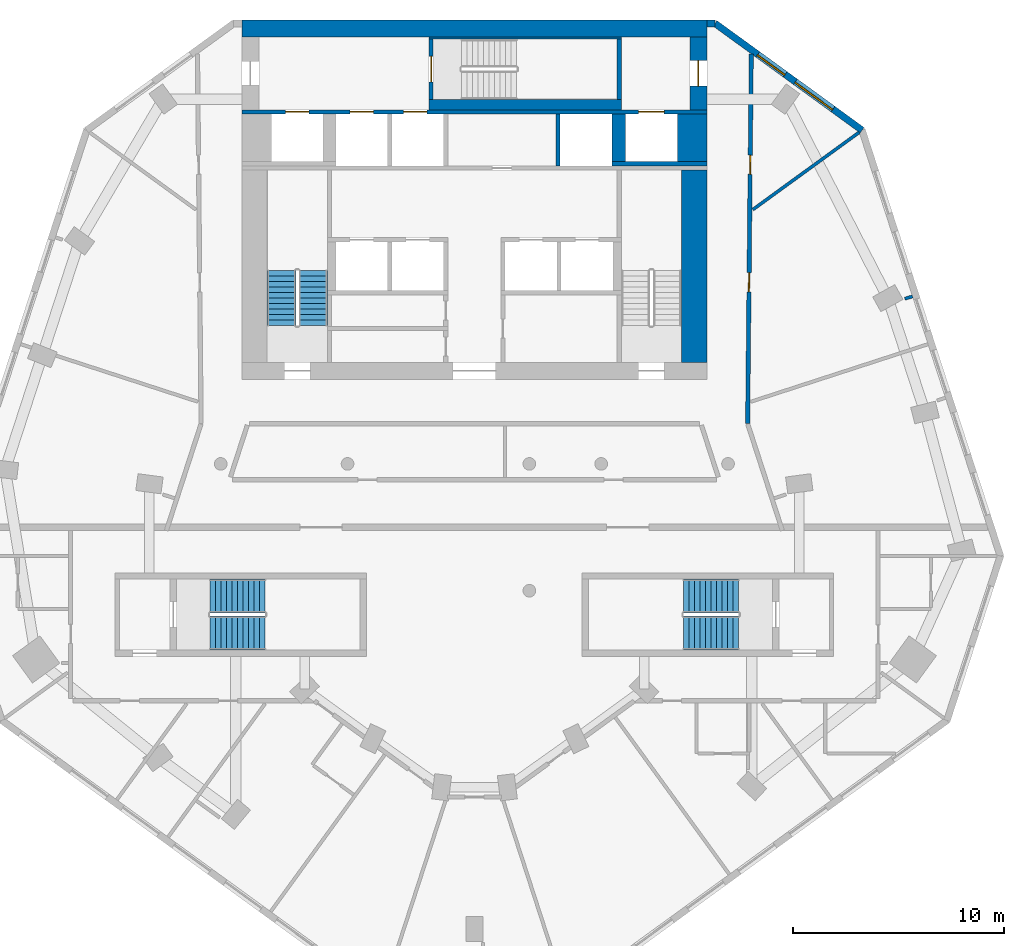
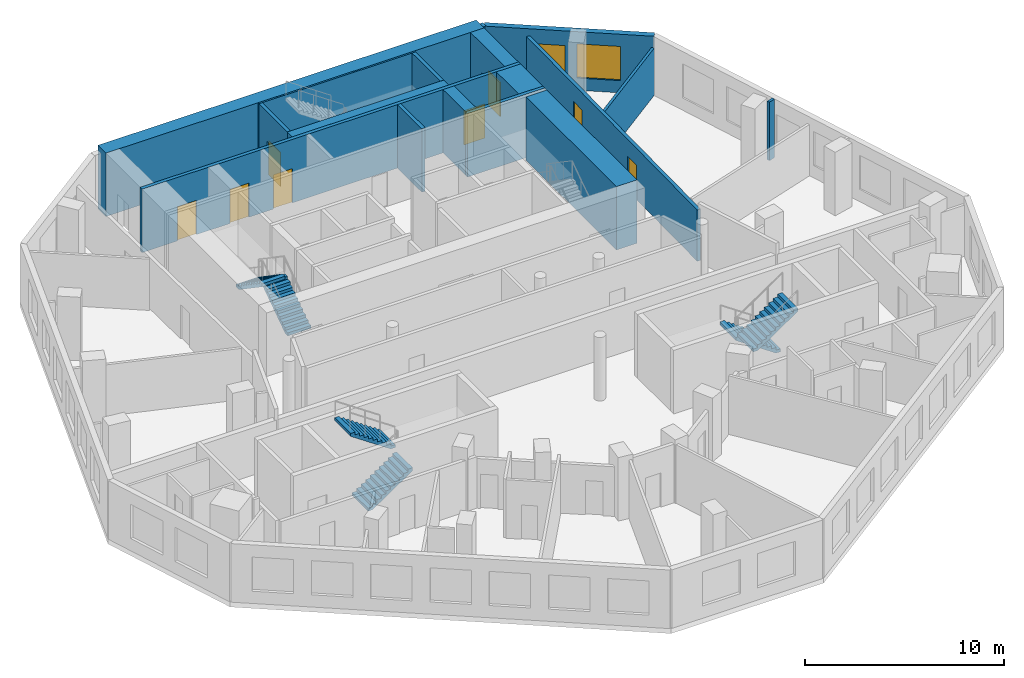
# One storey, part 6 of 9: 17 walls, 8 doors, 6 stair flights, 2 windows, 10 openings, 3 elements without a shape of their own.
"""IFC4 building model written with IfcOpenShell, lengths in metres."""

import ifcopenshell
import ifcopenshell.guid

model = None  # the IFC model being written
_history = None  # IfcOwnerHistory: only IFC2X3 demands one
_inside = {}  # id of a spatial element -> (the spatial element, [elements in it])
_under = {}  # id of a project, library or spatial element -> (it, [spatial elements below it])
_declared = {}  # id of a project -> (the project, [libraries it declares])
_typed = {}  # id of a type object -> (the type object, [elements of that type])
_made_of = {}  # id of a material, layer set ... -> (it, [elements and type objects made of it])


def new_model(schema):
    """Start an empty IFC model of exactly this schema.

    Asked for "IFC4X3", IfcOpenShell would pick the latest addendum, in which some entities
    have other attributes; the version numbers below select the first issue.
    IFC2X3 requires an IfcOwnerHistory on every rooted entity: one is made here for all.
    """
    global model, _history
    if schema == "IFC4X3":
        model = ifcopenshell.file(schema_version=(4, 3, 0, 0))
    else:
        model = ifcopenshell.file(schema=schema)
    _inside.clear()
    _under.clear()
    _declared.clear()
    _typed.clear()
    _made_of.clear()
    _history = None
    if model.schema == "IFC2X3":
        org = make("IfcOrganization", Name="unknown")
        user = make(
            "IfcPersonAndOrganization",
            ThePerson=make("IfcPerson", FamilyName="unknown"),
            TheOrganization=org,
        )
        app = make(
            "IfcApplication",
            ApplicationDeveloper=org,
            Version="unknown",
            ApplicationFullName="unknown",
            ApplicationIdentifier="unknown",
        )
        _history = make(
            "IfcOwnerHistory",
            OwningUser=user,
            OwningApplication=app,
            ChangeAction="ADDED",
            CreationDate=0,
        )
    return model


def make(cls, **values):
    """One entity of the class cls with the attributes given. An attribute that is None is left unset."""
    return model.create_entity(
        cls, **{name: value for name, value in values.items() if value is not None}
    )


def rooted(cls, **values):
    """An entity with a GlobalId (a new one), such as an element, a storey or a relation."""
    return make(cls, GlobalId=ifcopenshell.guid.new(), OwnerHistory=_history, **values)


def si_unit(unit_type, name, prefix=None):
    """IfcSIUnit, for example si_unit("LENGTHUNIT", "METRE", prefix="MILLI")."""
    return make("IfcSIUnit", UnitType=unit_type, Prefix=prefix, Name=name)


def assignment(units):
    """IfcUnitAssignment: the units of a project."""
    return None if units is None else make("IfcUnitAssignment", Units=units)


def point(xyz):
    """IfcCartesianPoint."""
    return None if xyz is None else make("IfcCartesianPoint", Coordinates=xyz)


def direction(xyz):
    """IfcDirection."""
    return None if xyz is None else make("IfcDirection", DirectionRatios=xyz)


def frame(location, z_axis=None, x_axis=None):
    """IfcAxis2Placement3D, a coordinate frame: its origin and axes. An axis left out is left unset."""
    return make(
        "IfcAxis2Placement3D",
        Location=point(location),
        Axis=direction(z_axis),
        RefDirection=direction(x_axis),
    )


def frame_2d(location, x_axis=None):
    """IfcAxis2Placement2D, a coordinate frame in the plane: its origin and x axis."""
    return make(
        "IfcAxis2Placement2D", Location=point(location), RefDirection=direction(x_axis)
    )


def origin():
    """The frame at (0, 0, 0) with its axes left unset."""
    return frame((0.0, 0.0, 0.0))


def place(relative_to, where):
    """IfcLocalPlacement: puts the frame where relative to a parent placement (None: the world)."""
    return make(
        "IfcLocalPlacement", PlacementRelTo=relative_to, RelativePlacement=where
    )


def context(
    kind, dimensions, precision=None, world=None, true_north=None, identifier=None
):
    """IfcGeometricRepresentationContext, for example the 3D "Model" context."""
    return make(
        "IfcGeometricRepresentationContext",
        ContextIdentifier=identifier,
        ContextType=kind,
        CoordinateSpaceDimension=dimensions,
        Precision=precision,
        WorldCoordinateSystem=world,
        TrueNorth=true_north,
    )


def subcontext(parent, identifier, kind, view, scale=None):
    """IfcGeometricRepresentationSubContext, for example "Body" below "Model"."""
    return make(
        "IfcGeometricRepresentationSubContext",
        ContextIdentifier=identifier,
        ContextType=kind,
        ParentContext=parent,
        TargetScale=scale,
        TargetView=view,
    )


def project(units=None, contexts=None):
    """IfcProject with its units and contexts."""
    return rooted(
        "IfcProject",
        Name="project",
        RepresentationContexts=contexts,
        UnitsInContext=assignment(units),
    )


def spatial(cls, under=None, at=None, **own):
    """A site, building, storey or space (cls), placed at a placement, below another one or the project."""
    s = rooted(cls, ObjectPlacement=at, **own)
    if under is not None:
        _under.setdefault(under.id(), (under, []))[1].append(s)
    return s


def polyline(points):
    """IfcPolyline through the points."""
    return make("IfcPolyline", Points=[point(p) for p in points])


def profile(cls, at=None, kind="AREA", **sizes):
    """A parametric profile (cls). Its sizes go by their IFC names, for example OverallWidth=200.0."""
    return make(cls, ProfileType=kind, Position=at, **sizes)


def rectangle(**sizes):
    """IfcRectangleProfileDef."""
    return profile("IfcRectangleProfileDef", **sizes)


def outline(outer, holes=None, kind="AREA"):
    """IfcArbitraryClosedProfileDef: a profile drawn as a closed curve; with holes, ...WithVoids."""
    if holes is None:
        return make("IfcArbitraryClosedProfileDef", ProfileType=kind, OuterCurve=outer)
    return make(
        "IfcArbitraryProfileDefWithVoids",
        ProfileType=kind,
        OuterCurve=outer,
        InnerCurves=holes,
    )


def extrude(swept, where, along, depth):
    """IfcExtrudedAreaSolid: the profile swept, set in the frame where, extruded along a direction by depth."""
    return make(
        "IfcExtrudedAreaSolid",
        SweptArea=swept,
        Position=where,
        ExtrudedDirection=direction(along),
        Depth=depth,
    )


def shape(context_of_items, identifier, shape_type, items):
    """IfcShapeRepresentation: the items that make up one representation, for example the "Body"."""
    return make(
        "IfcShapeRepresentation",
        ContextOfItems=context_of_items,
        RepresentationIdentifier=identifier,
        RepresentationType=shape_type,
        Items=items,
    )


def material(Name=None, Category=None):
    """IfcMaterial."""
    return make("IfcMaterial", Name=Name, Category=Category)


def layer(
    of_material, thickness, ventilated=None, Name=None, Category=None, Priority=None
):
    """IfcMaterialLayer: one layer of a wall or slab, of a material (None: an air gap)."""
    return make(
        "IfcMaterialLayer",
        Material=of_material,
        LayerThickness=thickness,
        IsVentilated=ventilated,
        Name=Name,
        Category=Category,
        Priority=Priority,
    )


def layer_set(layers, Name=None):
    """IfcMaterialLayerSet."""
    return make("IfcMaterialLayerSet", MaterialLayers=layers, LayerSetName=Name)


def made_of(thing, what):
    """Note that an element or type object is made of a material, layer set ...; save() writes the relation."""
    if what is not None:
        _made_of.setdefault(what.id(), (what, []))[1].append(thing)
    return thing


def type_object(cls, material=None, **own):
    """A type object (cls), such as IfcWallType, which elements share."""
    return made_of(rooted(cls, **own), material)


def element(
    cls,
    number,
    at=None,
    inside=None,
    cuts=None,
    type_object=None,
    material=None,
    context=None,
    identifier="Body",
    shape_type=None,
    held_by="IfcProductDefinitionShape",
    body=None,
    shapes=None,
    **own,
):
    """One element of the class cls, such as IfcWall. Its Tag is "e" and its number.

    at: its placement. inside: the storey or other place that contains it. cuts: it is an
    opening in that element (IfcRelVoidsElement). A single representation is given by context,
    identifier, shape_type and body (its items); several are given by shapes. held_by: the class
    of the entity that holds the representations. save() writes the other relations.
    """
    e = rooted(cls, Tag="e%d" % number, ObjectPlacement=at, **own)
    if body is not None:
        shapes = [shape(context, identifier, shape_type, body)]
    if shapes is not None:
        e.Representation = make(held_by, Representations=shapes)
    if inside is not None:
        _inside.setdefault(inside.id(), (inside, []))[1].append(e)
    if cuts is not None:
        rooted(
            "IfcRelVoidsElement", RelatingBuildingElement=cuts, RelatedOpeningElement=e
        )
    if type_object is not None:
        _typed.setdefault(type_object.id(), (type_object, []))[1].append(e)
    return made_of(e, material)


def fill(opening, filler):
    """IfcRelFillsElement: the door or window that sits in an opening."""
    return rooted(
        "IfcRelFillsElement",
        RelatingOpeningElement=opening,
        RelatedBuildingElement=filler,
    )


def aggregate(whole, parts):
    """IfcRelAggregates: a whole, such as a stair, and the parts it consists of."""
    return rooted("IfcRelAggregates", RelatingObject=whole, RelatedObjects=parts)


def save(model, path):
    """Write the relations noted so far, then the file.

    IfcRelAggregates (storeys below a building ...), IfcRelContainedInSpatialStructure (elements
    in a storey), IfcRelDefinesByType, IfcRelAssociatesMaterial and IfcRelDeclares: one each for
    every whole, place, type object, material and project.
    """
    for whole, parts in _under.values():
        aggregate(whole, parts)
    for where, things in _inside.values():
        rooted(
            "IfcRelContainedInSpatialStructure",
            RelatedElements=things,
            RelatingStructure=where,
        )
    for kind, things in _typed.values():
        rooted("IfcRelDefinesByType", RelatedObjects=things, RelatingType=kind)
    for what, things in _made_of.values():
        rooted("IfcRelAssociatesMaterial", RelatedObjects=things, RelatingMaterial=what)
    for by, libraries in _declared.values():
        rooted("IfcRelDeclares", RelatingContext=by, RelatedDefinitions=libraries)
    model.write(path)


model = new_model("IFC4")

# Units and contexts
model_context = context("Model", 3, precision=1e-05, world=origin(), true_north=direction((0.0, 1.0)))
body_context = subcontext(model_context, "Body", "Model", "MODEL_VIEW")
ifc_project = project(units=[si_unit("LENGTHUNIT", "METRE"), si_unit("AREAUNIT", "SQUARE_METRE"), si_unit("VOLUMEUNIT", "CUBIC_METRE"), si_unit("PLANEANGLEUNIT", "RADIAN"), si_unit("MASSUNIT", "GRAM", prefix="KILO")], contexts=[model_context])

# Site, building, storey
site_placement = place(None, origin())
site = spatial("IfcSite", under=ifc_project, at=site_placement, CompositionType="ELEMENT")
building_placement = place(site_placement, origin())
building = spatial("IfcBuilding", under=site, at=building_placement, Name="White Candle Pilgrim Tower", CompositionType="ELEMENT")
storey_placement = place(building_placement, frame((0.0, 0.0, 200.39990234375)))
storey = spatial("IfcBuildingStorey", under=building, at=storey_placement, Name="L46", CompositionType="ELEMENT", Elevation=200.39990234375)

# Walls
ifc_material_1 = material(Name="Concrete C50/60", Category="concrete")
ifc_layer_1 = layer(ifc_material_1, 1.39990234375)
ifc_layer_set_1 = layer_set([ifc_layer_1], Name="Core wall 1400 mm Concrete C50/60")
wall_type_1 = type_object("IfcWallType", Name="Core wall 1400 mm Concrete C50/60", PredefinedType="SHEAR", material=ifc_layer_set_1)
wall_1_placement = place(storey_placement, frame((80.300048828125, 81.300048828125, 0.0), z_axis=(0.0, 0.0, 1.0), x_axis=(0.0, 1.0, 0.0)))
element("IfcWall", 1, at=wall_1_placement, inside=storey, type_object=wall_type_1, Name="WL-L46-C42", PredefinedType="SHEAR", context=body_context, shape_type="SweptSolid", body=[
    extrude(rectangle(XDim=2.25, YDim=1.39990234375, at=frame_2d((1.125, 0.0))), origin(), (0.0, 0.0, 1.0), 3.900146484375),
])
ifc_layer_2 = layer(ifc_material_1, 0.199951171875)
ifc_layer_set_2 = layer_set([ifc_layer_2], Name="Core wall 200 mm Concrete C50/60")
wall_type_2 = type_object("IfcWallType", Name="Core wall 200 mm Concrete C50/60", PredefinedType="SHEAR", material=ifc_layer_set_2)
wall_2_placement = place(storey_placement, frame((76.5, 81.199951171875, 0.0), z_axis=(0.0, 0.0, 1.0), x_axis=(1.0, 0.0, 0.0)))
element("IfcWall", 2, at=wall_2_placement, inside=storey, type_object=wall_type_2, Name="WL-L46-C38", PredefinedType="SHEAR", context=body_context, shape_type="SweptSolid", body=[
    extrude(rectangle(XDim=4.5, YDim=0.199951171875, at=frame_2d((2.25, 0.0))), origin(), (0.0, 0.0, 1.0), 3.900146484375),
])

# Wall, openings, doors
wall_3_placement = place(storey_placement, frame((59.0, 83.64990234375, 0.0), z_axis=(0.0, 0.0, 1.0), x_axis=(1.0, 0.0, 0.0)))
wall_3 = element("IfcWall", 3, at=wall_3_placement, inside=storey, type_object=wall_type_2, Name="WL-L46-C43", PredefinedType="SHEAR", context=body_context, shape_type="SweptSolid", body=[
    extrude(rectangle(XDim=22.0, YDim=0.199951171875, at=frame_2d((11.0, 0.0))), origin(), (0.0, 0.0, 1.0), 3.900146484375),
])
opening_1_placement = place(wall_3_placement, frame((5.125, 0.0, 0.0)))
opening_1 = element("IfcOpeningElement", 4, at=opening_1_placement, cuts=wall_3, Name="Opening T14-018", PredefinedType="OPENING", context=body_context, shape_type="SweptSolid", body=[
    extrude(rectangle(XDim=1.10009765625, YDim=2.10009765625, at=frame_2d((0.550048828125, 1.050048828125))), frame((0.0, 0.10986328125, 0.0), z_axis=(0.0, -1.0, 0.0), x_axis=(1.0, 0.0, 0.0)), (0.0, 0.0, 1.0), 0.219970703125),
])
opening_2_placement = place(wall_3_placement, frame((7.64990234375, 0.0, 0.0)))
opening_2 = element("IfcOpeningElement", 5, at=opening_2_placement, cuts=wall_3, Name="Opening T14-019", PredefinedType="OPENING", context=body_context, shape_type="SweptSolid", body=[
    extrude(rectangle(XDim=1.10009765625, YDim=2.10009765625, at=frame_2d((0.550048828125, 1.050048828125))), frame((0.0, 0.10986328125, 0.0), z_axis=(0.0, -1.0, 0.0), x_axis=(1.0, 0.0, 0.0)), (0.0, 0.0, 1.0), 0.219970703125),
])
opening_3_placement = place(wall_3_placement, frame((18.77490234375, 0.0, 0.0)))
opening_3 = element("IfcOpeningElement", 6, at=opening_3_placement, cuts=wall_3, Name="Opening T14-020", PredefinedType="OPENING", context=body_context, shape_type="SweptSolid", body=[
    extrude(rectangle(XDim=1.199951171875, YDim=2.10009765625, at=frame_2d((0.60009765625, 1.050048828125))), frame((0.0, 0.10986328125, 0.0), z_axis=(0.0, -1.0, 0.0), x_axis=(1.0, 0.0, 0.0)), (0.0, 0.0, 1.0), 0.219970703125),
])
opening_4_placement = place(wall_3_placement, frame((2.074951171875, 0.0, 0.0)))
opening_4 = element("IfcOpeningElement", 7, at=opening_4_placement, cuts=wall_3, Name="Opening T14-021", PredefinedType="OPENING", context=body_context, shape_type="SweptSolid", body=[
    extrude(rectangle(XDim=1.10009765625, YDim=2.10009765625, at=frame_2d((0.550048828125, 1.050048828125))), frame((0.0, 0.10986328125, 0.0), z_axis=(0.0, -1.0, 0.0), x_axis=(1.0, 0.0, 0.0)), (0.0, 0.0, 1.0), 0.219970703125),
])
ifc_material_2 = material(Name="Stainless steel", Category="steel")
door_type_1 = type_object("IfcDoorType", Name="Lift landing door 1100 x 2100 EI 60", OperationType="DOUBLE_DOOR_SLIDING", PredefinedType="DOOR", material=ifc_material_2)
door_1_placement = place(opening_1_placement, origin())
door_1 = element("IfcDoor", 8, at=door_1_placement, inside=storey, type_object=door_type_1, Name="Door T14-018", OperationType="DOUBLE_DOOR_SLIDING", OverallHeight=2.10009765625, OverallWidth=1.10009765625, PredefinedType="DOOR", context=body_context, shape_type="SweptSolid", body=[
    extrude(rectangle(XDim=1.10009765625, YDim=2.10009765625, at=frame_2d((0.550048828125, 1.050048828125))), frame((0.0, 0.02490234375, 0.0), z_axis=(0.0, -1.0, 0.0), x_axis=(1.0, 0.0, 0.0)), (0.0, 0.0, 1.0), 0.050048828125),
])
fill(opening_1, door_1)
door_2_placement = place(opening_2_placement, origin())
door_2 = element("IfcDoor", 9, at=door_2_placement, inside=storey, type_object=door_type_1, Name="Door T14-019", OperationType="DOUBLE_DOOR_SLIDING", OverallHeight=2.10009765625, OverallWidth=1.10009765625, PredefinedType="DOOR", context=body_context, shape_type="SweptSolid", body=[
    extrude(rectangle(XDim=1.10009765625, YDim=2.10009765625, at=frame_2d((0.550048828125, 1.050048828125))), frame((0.0, 0.02490234375, 0.0), z_axis=(0.0, -1.0, 0.0), x_axis=(1.0, 0.0, 0.0)), (0.0, 0.0, 1.0), 0.050048828125),
])
fill(opening_2, door_2)
door_3_placement = place(opening_4_placement, origin())
door_3 = element("IfcDoor", 10, at=door_3_placement, inside=storey, type_object=door_type_1, Name="Door T14-021", OperationType="DOUBLE_DOOR_SLIDING", OverallHeight=2.10009765625, OverallWidth=1.10009765625, PredefinedType="DOOR", context=body_context, shape_type="SweptSolid", body=[
    extrude(rectangle(XDim=1.10009765625, YDim=2.10009765625, at=frame_2d((0.550048828125, 1.050048828125))), frame((0.0, 0.02490234375, 0.0), z_axis=(0.0, -1.0, 0.0), x_axis=(1.0, 0.0, 0.0)), (0.0, 0.0, 1.0), 0.050048828125),
])
fill(opening_4, door_3)
door_type_2 = type_object("IfcDoorType", Name="Lift landing door 1200 x 2100 E 60", OperationType="DOUBLE_DOOR_SLIDING", PredefinedType="DOOR", material=ifc_material_2)
door_4_placement = place(opening_3_placement, origin())
door_4 = element("IfcDoor", 11, at=door_4_placement, inside=storey, type_object=door_type_2, Name="Door T14-020", OperationType="DOUBLE_DOOR_SLIDING", OverallHeight=2.10009765625, OverallWidth=1.199951171875, PredefinedType="DOOR", context=body_context, shape_type="SweptSolid", body=[
    extrude(rectangle(XDim=1.199951171875, YDim=2.10009765625, at=frame_2d((0.60009765625, 1.050048828125))), frame((0.0, 0.02490234375, 0.0), z_axis=(0.0, -1.0, 0.0), x_axis=(1.0, 0.0, 0.0)), (0.0, 0.0, 1.0), 0.050048828125),
])
fill(opening_3, door_4)

# Wall, opening, door
ifc_layer_3 = layer(ifc_material_1, 0.800048828125)
ifc_layer_set_3 = layer_set([ifc_layer_3], Name="Core wall 800 mm Concrete C50/60")
wall_type_3 = type_object("IfcWallType", Name="Core wall 800 mm Concrete C50/60", PredefinedType="SHEAR", material=ifc_layer_set_3)
wall_4_placement = place(storey_placement, frame((80.60009765625, 83.75, 0.0), z_axis=(0.0, 0.0, 1.0), x_axis=(0.0, 1.0, 0.0)))
wall_4 = element("IfcWall", 12, at=wall_4_placement, inside=storey, type_object=wall_type_3, Name="WL-L46-C46", PredefinedType="SHEAR", context=body_context, shape_type="SweptSolid", body=[
    extrude(rectangle(XDim=3.449951171875, YDim=0.800048828125, at=frame_2d((1.72509765625, 0.0))), origin(), (0.0, 0.0, 1.0), 3.900146484375),
])
opening_5_placement = place(wall_4_placement, frame((1.125, 0.0, 0.0)))
opening_5 = element("IfcOpeningElement", 13, at=opening_5_placement, cuts=wall_4, Name="Opening T14-009", PredefinedType="OPENING", context=body_context, shape_type="SweptSolid", body=[
    extrude(rectangle(XDim=1.199951171875, YDim=2.10009765625, at=frame_2d((0.60009765625, 1.050048828125))), frame((0.0, 0.409912109375, 0.0), z_axis=(0.0, -1.0, 0.0), x_axis=(1.0, 0.0, 0.0)), (0.0, 0.0, 1.0), 0.820068359375),
])
ifc_material_3 = material(Name="Steel door leaf", Category="steel")
door_type_3 = type_object("IfcDoorType", Name="Fire door 1200 x 2100 EI 30", OperationType="NOTDEFINED", PredefinedType="DOOR", material=ifc_material_3)
door_5_placement = place(opening_5_placement, origin())
door_5 = element("IfcDoor", 14, at=door_5_placement, inside=storey, type_object=door_type_3, Name="Door T14-009", OperationType="SINGLE_SWING_LEFT", OverallHeight=2.10009765625, OverallWidth=1.199951171875, PredefinedType="DOOR", context=body_context, shape_type="SweptSolid", body=[
    extrude(rectangle(XDim=1.199951171875, YDim=2.10009765625, at=frame_2d((0.60009765625, 1.050048828125))), frame((0.0, 0.02490234375, 0.0), z_axis=(0.0, -1.0, 0.0), x_axis=(1.0, 0.0, 0.0)), (0.0, 0.0, 1.0), 0.050048828125),
])
fill(opening_5, door_5)

# Wall
wall_5_placement = place(storey_placement, frame((59.0, 87.60009765625, 0.0), z_axis=(0.0, 0.0, 1.0), x_axis=(1.0, 0.0, 0.0)))
element("IfcWall", 15, at=wall_5_placement, inside=storey, type_object=wall_type_3, Name="WL-L46-C50", PredefinedType="SHEAR", context=body_context, shape_type="SweptSolid", body=[
    extrude(rectangle(XDim=22.0, YDim=0.800048828125, at=frame_2d((11.0, 0.0))), origin(), (0.0, 0.0, 1.0), 3.900146484375),
])

# Wall, openings, doors
ifc_material_4 = material(Name="Gypsum board on steel studs", Category="steel")
ifc_layer_4 = layer(ifc_material_4, 0.199951171875)
ifc_layer_set_4 = layer_set([ifc_layer_4], Name="Corridor wall 200 mm EI 45")
wall_type_4 = type_object("IfcWallType", Name="Corridor wall 200 mm EI 45", PredefinedType="PARTITIONING", material=ifc_layer_set_4)
wall_6_placement = place(storey_placement, frame((83.10009765625, 86.396240234375, 0.0), z_axis=(0.0, 0.0, 1.0), x_axis=(-0.009846166448, -0.999951525328, 0.0)))
wall_6 = element("IfcWall", 16, at=wall_6_placement, inside=storey, type_object=wall_type_4, Name="WL-L46-P004", PredefinedType="PARTITIONING", context=body_context, shape_type="SweptSolid", body=[
    extrude(rectangle(XDim=17.480712890625, YDim=0.199951171875, at=frame_2d((8.740234375, 0.0))), origin(), (0.0, 0.0, 1.0), 3.150146484375),
])
opening_6_placement = place(wall_6_placement, frame((4.794189453125, 0.0, 0.0)))
opening_6 = element("IfcOpeningElement", 17, at=opening_6_placement, cuts=wall_6, Name="Opening T14-121", PredefinedType="OPENING", context=body_context, shape_type="SweptSolid", body=[
    extrude(rectangle(XDim=0.89990234375, YDim=2.10009765625, at=frame_2d((0.449951171875, 1.050048828125))), frame((0.0, 0.10986328125, 0.0), z_axis=(0.0, -1.0, 0.0), x_axis=(1.0, 0.0, 0.0)), (0.0, 0.0, 1.0), 0.219970703125),
])
opening_7_placement = place(wall_6_placement, frame((10.353515625, 0.0, 0.0)))
opening_7 = element("IfcOpeningElement", 18, at=opening_7_placement, cuts=wall_6, Name="Opening T14-122", PredefinedType="OPENING", context=body_context, shape_type="SweptSolid", body=[
    extrude(rectangle(XDim=0.89990234375, YDim=2.10009765625, at=frame_2d((0.449951171875, 1.050048828125))), frame((0.0, 0.10986328125, 0.0), z_axis=(0.0, -1.0, 0.0), x_axis=(1.0, 0.0, 0.0)), (0.0, 0.0, 1.0), 0.219970703125),
])
door_type_4 = type_object("IfcDoorType", Name="Fire door 900 x 2100 EI 30", OperationType="NOTDEFINED", PredefinedType="DOOR", material=ifc_material_3)
door_6_placement = place(opening_6_placement, origin())
door_6 = element("IfcDoor", 19, at=door_6_placement, inside=storey, type_object=door_type_4, Name="Door T14-121", OperationType="SINGLE_SWING_LEFT", OverallHeight=2.10009765625, OverallWidth=0.89990234375, PredefinedType="DOOR", context=body_context, shape_type="SweptSolid", body=[
    extrude(rectangle(XDim=0.89990234375, YDim=2.10009765625, at=frame_2d((0.449951171875, 1.050048828125))), frame((0.0, 0.02490234375, 0.0), z_axis=(0.0, -1.0, 0.0), x_axis=(1.0, 0.0, 0.0)), (0.0, 0.0, 1.0), 0.050048828125),
])
fill(opening_6, door_6)
door_7_placement = place(opening_7_placement, origin())
door_7 = element("IfcDoor", 20, at=door_7_placement, inside=storey, type_object=door_type_4, Name="Door T14-122", OperationType="SINGLE_SWING_RIGHT", OverallHeight=2.10009765625, OverallWidth=0.89990234375, PredefinedType="DOOR", context=body_context, shape_type="SweptSolid", body=[
    extrude(rectangle(XDim=0.89990234375, YDim=2.10009765625, at=frame_2d((0.449951171875, 1.050048828125))), frame((0.0, 0.02490234375, 0.0), z_axis=(0.0, -1.0, 0.0), x_axis=(1.0, 0.0, 0.0)), (0.0, 0.0, 1.0), 0.050048828125),
])
fill(opening_7, door_7)

# Wall, openings, windows
ifc_material_5 = material(Name="Precast concrete C40/50", Category="concrete")
ifc_layer_5 = layer(ifc_material_5, 0.320068359375)
ifc_layer_set_5 = layer_set([ifc_layer_5], Name="Facade wall EW1 precast concrete C40/50 pier wall with timber-lined reveals")
wall_type_5 = type_object("IfcWallType", Name="Facade wall EW1 precast concrete C40/50 pier wall with timber-lined reveals", PredefinedType="SOLIDWALL", material=ifc_layer_set_5)
wall_7_placement = place(storey_placement, frame((88.342041015625, 82.785400390625, 0.0), z_axis=(0.0, 0.0, 1.0), x_axis=(-0.809010998506, 0.58779350481, 0.0)))
wall_7 = element("IfcWall", 21, at=wall_7_placement, inside=storey, type_object=wall_type_5, Name="Facade wall L46 NE chamfer", PredefinedType="SOLIDWALL", context=body_context, shape_type="SweptSolid", body=[
    extrude(rectangle(XDim=8.599365234375, YDim=0.320068359375, at=frame_2d((4.2998046875, 0.0))), origin(), (0.0, 0.0, 1.0), 3.60009765625),
])
opening_8_placement = place(wall_7_placement, frame((1.69970703125, 0.0, 0.75)))
opening_8 = element("IfcOpeningElement", 22, at=opening_8_placement, cuts=wall_7, Name="Opening W4", PredefinedType="OPENING", context=body_context, shape_type="SweptSolid", body=[
    extrude(rectangle(XDim=2.199951171875, YDim=2.10009765625, at=frame_2d((1.10009765625, 1.050048828125))), frame((0.0, 0.169921875, 0.0), z_axis=(0.0, -1.0, 0.0), x_axis=(1.0, 0.0, 0.0)), (0.0, 0.0, 1.0), 0.340087890625),
])
opening_9_placement = place(wall_7_placement, frame((4.499755859375, 0.0, 0.89990234375)))
opening_9 = element("IfcOpeningElement", 23, at=opening_9_placement, cuts=wall_7, Name="Opening W2", PredefinedType="OPENING", context=body_context, shape_type="SweptSolid", body=[
    extrude(rectangle(XDim=1.60009765625, YDim=1.800048828125, at=frame_2d((0.800048828125, 0.89990234375))), frame((0.0, 0.169921875, 0.0), z_axis=(0.0, -1.0, 0.0), x_axis=(1.0, 0.0, 0.0)), (0.0, 0.0, 1.0), 0.340087890625),
])
ifc_material_6 = material(Name="Timber frame with triple glazing", Category="wood")
window_type_1 = type_object("IfcWindowType", Name="Window W2 1600x1800 timber frame triple glazing", PartitioningType="SINGLE_PANEL", PredefinedType="WINDOW", material=ifc_material_6)
window_1_placement = place(opening_9_placement, origin())
window_1 = element("IfcWindow", 24, at=window_1_placement, inside=storey, type_object=window_type_1, Name="Window W2 L46 NE chamfer 2", OverallHeight=1.800048828125, OverallWidth=1.60009765625, PartitioningType="SINGLE_PANEL", PredefinedType="WINDOW", context=body_context, shape_type="SweptSolid", body=[
    extrude(rectangle(XDim=1.60009765625, YDim=1.800048828125, at=frame_2d((0.800048828125, 0.89990234375))), frame((0.0, 0.070068359375, 0.0), z_axis=(0.0, -1.0, 0.0), x_axis=(1.0, 0.0, 0.0)), (0.0, 0.0, 1.0), 0.06005859375),
])
fill(opening_9, window_1)
window_type_2 = type_object("IfcWindowType", Name="Window W4 2200x2100 timber frame triple glazing", PartitioningType="SINGLE_PANEL", PredefinedType="WINDOW", material=ifc_material_6)
window_2_placement = place(opening_8_placement, origin())
window_2 = element("IfcWindow", 25, at=window_2_placement, inside=storey, type_object=window_type_2, Name="Window W4 L46 NE chamfer 1", OverallHeight=2.10009765625, OverallWidth=2.199951171875, PartitioningType="SINGLE_PANEL", PredefinedType="WINDOW", context=body_context, shape_type="SweptSolid", body=[
    extrude(rectangle(XDim=2.199951171875, YDim=2.10009765625, at=frame_2d((1.10009765625, 1.050048828125))), frame((0.0, 0.070068359375, 0.0), z_axis=(0.0, -1.0, 0.0), x_axis=(1.0, 0.0, 0.0)), (0.0, 0.0, 1.0), 0.06005859375),
])
fill(opening_8, window_2)

# Walls
wall_8_placement = place(storey_placement, frame((81.385009765625, 87.840087890625, 0.0), z_axis=(0.0, 0.0, 1.0), x_axis=(-1.0, 0.0, 0.0)))
element("IfcWall", 26, at=wall_8_placement, inside=storey, type_object=wall_type_5, Name="Facade wall L46 N", PredefinedType="SOLIDWALL", context=body_context, shape_type="SweptSolid", body=[
    extrude(rectangle(XDim=0.385009765625, YDim=0.320068359375, at=frame_2d((0.1923828125, 0.0))), origin(), (0.0, 0.0, 1.0), 3.60009765625),
])
ifc_layer_6 = layer(ifc_material_4, 0.14990234375)
ifc_layer_set_6 = layer_set([ifc_layer_6], Name="Partition 150 mm EI 60")
wall_type_6 = type_object("IfcWallType", Name="Partition 150 mm EI 60", PredefinedType="PARTITIONING", material=ifc_layer_set_6)
wall_9_placement = place(storey_placement, frame((88.2060546875, 82.6865234375, 0.0), z_axis=(0.0, 0.0, 1.0), x_axis=(-0.809027823237, -0.587770347354, 0.0)))
element("IfcWall", 27, at=wall_9_placement, inside=storey, type_object=wall_type_6, Name="WL-L46-P024", PredefinedType="PARTITIONING", context=body_context, shape_type="SweptSolid", body=[
    extrude(rectangle(XDim=6.22216796875, YDim=0.14990234375, at=frame_2d((3.111083984375, 0.0))), origin(), (0.0, 0.0, 1.0), 2.900146484375),
])
wall_10_placement = place(storey_placement, frame((90.364501953125, 74.80859375, 0.0), z_axis=(0.0, 0.0, 1.0), x_axis=(0.951024661998, 0.309115014633, 0.0)))
element("IfcWall", 28, at=wall_10_placement, inside=storey, type_object=wall_type_6, Name="WL-L46-P050", PredefinedType="PARTITIONING", context=body_context, shape_type="SweptSolid", body=[
    extrude(rectangle(XDim=0.381591796875, YDim=0.14990234375, at=frame_2d((0.19091796875, 0.0))), origin(), (0.0, 0.0, 1.0), 3.60009765625),
])
ifc_layer_7 = layer(ifc_material_1, 0.199951171875)
ifc_layer_set_7 = layer_set([ifc_layer_7], Name="Shaft wall 200 mm Concrete C50/60")
wall_type_7 = type_object("IfcWallType", Name="Shaft wall 200 mm Concrete C50/60", PredefinedType="SHEAR", material=ifc_layer_set_7)
wall_11_placement = place(storey_placement, frame((73.949951171875, 81.10009765625, 0.0), z_axis=(0.0, 0.0, 1.0), x_axis=(0.0, 1.0, 0.0)))
element("IfcWall", 29, at=wall_11_placement, inside=storey, type_object=wall_type_7, Name="WL-L46-C37", PredefinedType="SHEAR", context=body_context, shape_type="SweptSolid", body=[
    extrude(rectangle(XDim=2.449951171875, YDim=0.199951171875, at=frame_2d((1.22509765625, 0.0))), origin(), (0.0, 0.0, 1.0), 3.900146484375),
])
ifc_layer_8 = layer(ifc_material_1, 0.64990234375)
ifc_layer_set_8 = layer_set([ifc_layer_8], Name="Shaft wall 650 mm Concrete C50/60")
wall_type_8 = type_object("IfcWallType", Name="Shaft wall 650 mm Concrete C50/60", PredefinedType="SHEAR", material=ifc_layer_set_8)
wall_12_placement = place(storey_placement, frame((76.824951171875, 81.300048828125, 0.0), z_axis=(0.0, 0.0, 1.0), x_axis=(0.0, 1.0, 0.0)))
element("IfcWall", 30, at=wall_12_placement, inside=storey, type_object=wall_type_8, Name="WL-L46-C41", PredefinedType="SHEAR", context=body_context, shape_type="SweptSolid", body=[
    extrude(rectangle(XDim=2.25, YDim=0.64990234375, at=frame_2d((1.125, 0.0))), origin(), (0.0, 0.0, 1.0), 3.900146484375),
])
ifc_layer_9 = layer(ifc_material_1, 0.10009765625)
ifc_layer_set_9 = layer_set([ifc_layer_9], Name="Stair shaft wall 100 mm Concrete C50/60")
wall_type_9 = type_object("IfcWallType", Name="Stair shaft wall 100 mm Concrete C50/60", PredefinedType="SHEAR", material=ifc_layer_set_9)
wall_13_placement = place(storey_placement, frame((67.85009765625, 87.14990234375, 0.0), z_axis=(0.0, 0.0, 1.0), x_axis=(1.0, 0.0, 0.0)))
element("IfcWall", 31, at=wall_13_placement, inside=storey, type_object=wall_type_9, Name="WL-L46-C49", PredefinedType="SHEAR", context=body_context, shape_type="SweptSolid", body=[
    extrude(rectangle(XDim=9.099853515625, YDim=0.10009765625, at=frame_2d((4.5498046875, 0.0))), origin(), (0.0, 0.0, 1.0), 3.900146484375),
])
ifc_layer_10 = layer(ifc_material_1, 1.199951171875)
ifc_layer_set_10 = layer_set([ifc_layer_10], Name="Stair shaft wall 1200 mm Concrete C50/60")
wall_type_10 = type_object("IfcWallType", Name="Stair shaft wall 1200 mm Concrete C50/60", PredefinedType="SHEAR", material=ifc_layer_set_10)
wall_14_placement = place(storey_placement, frame((80.39990234375, 71.800048828125, 0.0), z_axis=(0.0, 0.0, 1.0), x_axis=(0.0, 1.0, 0.0)))
element("IfcWall", 32, at=wall_14_placement, inside=storey, type_object=wall_type_10, Name="WL-L46-C17", PredefinedType="SHEAR", context=body_context, shape_type="SweptSolid", body=[
    extrude(rectangle(XDim=9.099853515625, YDim=1.199951171875, at=frame_2d((4.5498046875, 0.0))), origin(), (0.0, 0.0, 1.0), 3.900146484375),
])

# Wall, opening, door
ifc_layer_11 = layer(ifc_material_1, 0.199951171875)
ifc_layer_set_11 = layer_set([ifc_layer_11], Name="Stair shaft wall 200 mm Concrete C50/60")
wall_type_11 = type_object("IfcWallType", Name="Stair shaft wall 200 mm Concrete C50/60", PredefinedType="SHEAR", material=ifc_layer_set_11)
wall_15_placement = place(storey_placement, frame((67.949951171875, 84.25, 0.0), z_axis=(0.0, 0.0, 1.0), x_axis=(0.0, 1.0, 0.0)))
wall_15 = element("IfcWall", 33, at=wall_15_placement, inside=storey, type_object=wall_type_11, Name="WL-L46-C47", PredefinedType="SHEAR", context=body_context, shape_type="SweptSolid", body=[
    extrude(rectangle(XDim=2.85009765625, YDim=0.199951171875, at=frame_2d((1.425048828125, 0.0))), origin(), (0.0, 0.0, 1.0), 3.900146484375),
])
opening_10_placement = place(wall_15_placement, frame((0.824951171875, 0.0, 0.0)))
opening_10 = element("IfcOpeningElement", 34, at=opening_10_placement, cuts=wall_15, Name="Opening T14-003", PredefinedType="OPENING", context=body_context, shape_type="SweptSolid", body=[
    extrude(rectangle(XDim=1.199951171875, YDim=2.10009765625, at=frame_2d((0.60009765625, 1.050048828125))), frame((0.0, 0.10986328125, 0.0), z_axis=(0.0, -1.0, 0.0), x_axis=(1.0, 0.0, 0.0)), (0.0, 0.0, 1.0), 0.219970703125),
])
door_type_5 = type_object("IfcDoorType", Name="Fire door 1200 x 2100 EI 60", OperationType="NOTDEFINED", PredefinedType="DOOR", material=ifc_material_3)
door_8_placement = place(opening_10_placement, frame((1.199951171875, 0.0, 0.0), z_axis=(0.0, 0.0, 1.0), x_axis=(-1.0, 0.0, 0.0)))
door_8 = element("IfcDoor", 35, at=door_8_placement, inside=storey, type_object=door_type_5, Name="Door T14-003", OperationType="SINGLE_SWING_RIGHT", OverallHeight=2.10009765625, OverallWidth=1.199951171875, PredefinedType="DOOR", context=body_context, shape_type="SweptSolid", body=[
    extrude(rectangle(XDim=1.199951171875, YDim=2.10009765625, at=frame_2d((0.60009765625, 1.050048828125))), frame((0.0, 0.02490234375, 0.0), z_axis=(0.0, -1.0, 0.0), x_axis=(1.0, 0.0, 0.0)), (0.0, 0.0, 1.0), 0.050048828125),
])
fill(opening_10, door_8)

# Walls
wall_16_placement = place(storey_placement, frame((76.85009765625, 84.25, 0.0), z_axis=(0.0, 0.0, 1.0), x_axis=(0.0, 1.0, 0.0)))
element("IfcWall", 36, at=wall_16_placement, inside=storey, type_object=wall_type_11, Name="WL-L46-C48", PredefinedType="SHEAR", context=body_context, shape_type="SweptSolid", body=[
    extrude(rectangle(XDim=2.85009765625, YDim=0.199951171875, at=frame_2d((1.425048828125, 0.0))), origin(), (0.0, 0.0, 1.0), 3.900146484375),
])
ifc_layer_12 = layer(ifc_material_1, 0.5)
ifc_layer_set_12 = layer_set([ifc_layer_12], Name="Stair shaft wall 500 mm Concrete C50/60")
wall_type_12 = type_object("IfcWallType", Name="Stair shaft wall 500 mm Concrete C50/60", PredefinedType="SHEAR", material=ifc_layer_set_12)
wall_17_placement = place(storey_placement, frame((67.85009765625, 84.0, 0.0), z_axis=(0.0, 0.0, 1.0), x_axis=(1.0, 0.0, 0.0)))
element("IfcWall", 37, at=wall_17_placement, inside=storey, type_object=wall_type_12, Name="WL-L46-C45", PredefinedType="SHEAR", context=body_context, shape_type="SweptSolid", body=[
    extrude(rectangle(XDim=9.099853515625, YDim=0.5, at=frame_2d((4.5498046875, 0.0))), origin(), (0.0, 0.0, 1.0), 3.900146484375),
])

# Stair, stair flights
ifc_material_7 = material(Name="Concrete C40/50", Category="concrete")
stair_type_1 = type_object("IfcStairType", Name="Exit stair 1 flight width 1350 mm", PredefinedType="HALF_TURN_STAIR", material=ifc_material_7)
stair_1_placement = place(storey_placement, origin())
stair_1 = element("IfcStair", 38, at=stair_1_placement, inside=storey, type_object=stair_type_1, Name="L46 stair 1", PredefinedType="NOTDEFINED")
ifc_layer_13 = layer(ifc_material_7, 0.14990234375)
ifc_layer_set_13 = layer_set([ifc_layer_13], Name="Stair flight Concrete C40/50")
stair_flight_type = type_object("IfcStairFlightType", Name="Stair flight Concrete C40/50", PredefinedType="STRAIGHT", material=ifc_layer_set_13)
stair_flight_1_placement = place(storey_placement, frame((62.375, 73.550048828125, 0.0), z_axis=(0.0, 0.0, 1.0), x_axis=(0.0, 1.0, 0.0)))
stair_flight_1 = element("IfcStairFlight", 39, at=stair_flight_1_placement, type_object=stair_flight_type, Name="ST1 flight 1", NumberOfRisers=11, NumberOfTreads=10, PredefinedType="NOTDEFINED", RiserHeight=0.177272727, TreadLength=0.26, context=body_context, shape_type="SweptSolid", body=[
    extrude(outline(polyline([(0.0, 0.0), (0.0, 0.17724609375), (0.260009765625, 0.17724609375), (0.260009765625, 0.3544921875), (0.52001953125, 0.3544921875), (0.52001953125, 0.53173828125), (0.780029296875, 0.53173828125), (0.780029296875, 0.708984375), (1.0400390625, 0.708984375), (1.0400390625, 0.886474609375), (1.300048828125, 0.886474609375), (1.300048828125, 1.063720703125), (1.56005859375, 1.063720703125), (1.56005859375, 1.240966796875), (1.820068359375, 1.240966796875), (1.820068359375, 1.418212890625), (2.080078125, 1.418212890625), (2.080078125, 1.595458984375), (2.340087890625, 1.595458984375), (2.340087890625, 1.772705078125), (2.60009765625, 1.772705078125), (2.60009765625, 1.949951171875), (2.60009765625, 1.59130859375), (0.26611328125, 0.0), (0.0, 0.0)])), frame((0.0, 0.675048828125, 0.0), z_axis=(0.0, -1.0, 0.0), x_axis=(1.0, 0.0, 0.0)), (0.0, 0.0, 1.0), 1.35009765625),
])
stair_flight_2_placement = place(storey_placement, frame((60.875, 76.14990234375, 1.9501953125), z_axis=(0.0, 0.0, 1.0), x_axis=(0.0, -1.0, 0.0)))
stair_flight_2 = element("IfcStairFlight", 40, at=stair_flight_2_placement, type_object=stair_flight_type, Name="ST1 flight 2", NumberOfRisers=11, NumberOfTreads=10, PredefinedType="NOTDEFINED", RiserHeight=0.177272727, TreadLength=0.26, context=body_context, shape_type="SweptSolid", body=[
    extrude(outline(polyline([(0.0, 0.0), (0.0, 0.17724609375), (0.260009765625, 0.17724609375), (0.260009765625, 0.3544921875), (0.52001953125, 0.3544921875), (0.52001953125, 0.53173828125), (0.780029296875, 0.53173828125), (0.780029296875, 0.708984375), (1.0400390625, 0.708984375), (1.0400390625, 0.886474609375), (1.300048828125, 0.886474609375), (1.300048828125, 1.063720703125), (1.56005859375, 1.063720703125), (1.56005859375, 1.240966796875), (1.820068359375, 1.240966796875), (1.820068359375, 1.418212890625), (2.080078125, 1.418212890625), (2.080078125, 1.595458984375), (2.340087890625, 1.595458984375), (2.340087890625, 1.772705078125), (2.60009765625, 1.772705078125), (2.60009765625, 1.949951171875), (2.60009765625, 1.59130859375), (0.26611328125, 0.0), (0.0, 0.0)])), frame((0.0, 0.675048828125, 0.0), z_axis=(0.0, -1.0, 0.0), x_axis=(1.0, 0.0, 0.0)), (0.0, 0.0, 1.0), 1.35009765625),
])
aggregate(stair_1, [stair_flight_1, stair_flight_2])

stair_type_2 = type_object("IfcStairType", Name="Exit stair 4 flight width 1600 mm", PredefinedType="HALF_TURN_STAIR", material=ifc_material_7)
stair_2_placement = place(storey_placement, origin())
stair_2 = element("IfcStair", 41, at=stair_2_placement, inside=storey, type_object=stair_type_2, Name="L46 stair 4", PredefinedType="NOTDEFINED")
stair_flight_3_placement = place(storey_placement, frame((82.5, 60.75, 0.0), z_axis=(0.0, 0.0, 1.0), x_axis=(-1.0, 0.0, 0.0)))
stair_flight_3 = element("IfcStairFlight", 42, at=stair_flight_3_placement, type_object=stair_flight_type, Name="ST4 flight 1", NumberOfRisers=11, NumberOfTreads=10, PredefinedType="NOTDEFINED", RiserHeight=0.177272727, TreadLength=0.26, context=body_context, shape_type="SweptSolid", body=[
    extrude(outline(polyline([(0.0, 0.0), (0.0, 0.17724609375), (0.260009765625, 0.17724609375), (0.260009765625, 0.3544921875), (0.52001953125, 0.3544921875), (0.52001953125, 0.53173828125), (0.780029296875, 0.53173828125), (0.780029296875, 0.708984375), (1.0400390625, 0.708984375), (1.0400390625, 0.886474609375), (1.300048828125, 0.886474609375), (1.300048828125, 1.063720703125), (1.56005859375, 1.063720703125), (1.56005859375, 1.240966796875), (1.820068359375, 1.240966796875), (1.820068359375, 1.418212890625), (2.080078125, 1.418212890625), (2.080078125, 1.595458984375), (2.340087890625, 1.595458984375), (2.340087890625, 1.772705078125), (2.60009765625, 1.772705078125), (2.60009765625, 1.949951171875), (2.60009765625, 1.59130859375), (0.26611328125, 0.0), (0.0, 0.0)])), frame((0.0, 0.800048828125, 0.0), z_axis=(0.0, -1.0, 0.0), x_axis=(1.0, 0.0, 0.0)), (0.0, 0.0, 1.0), 1.60009765625),
])
stair_flight_4_placement = place(storey_placement, frame((79.89990234375, 59.0, 1.9501953125), z_axis=(0.0, 0.0, 1.0), x_axis=(1.0, 0.0, 0.0)))
stair_flight_4 = element("IfcStairFlight", 43, at=stair_flight_4_placement, type_object=stair_flight_type, Name="ST4 flight 2", NumberOfRisers=11, NumberOfTreads=10, PredefinedType="NOTDEFINED", RiserHeight=0.177272727, TreadLength=0.26, context=body_context, shape_type="SweptSolid", body=[
    extrude(outline(polyline([(0.0, 0.0), (0.0, 0.17724609375), (0.260009765625, 0.17724609375), (0.260009765625, 0.3544921875), (0.52001953125, 0.3544921875), (0.52001953125, 0.53173828125), (0.780029296875, 0.53173828125), (0.780029296875, 0.708984375), (1.0400390625, 0.708984375), (1.0400390625, 0.886474609375), (1.300048828125, 0.886474609375), (1.300048828125, 1.063720703125), (1.56005859375, 1.063720703125), (1.56005859375, 1.240966796875), (1.820068359375, 1.240966796875), (1.820068359375, 1.418212890625), (2.080078125, 1.418212890625), (2.080078125, 1.595458984375), (2.340087890625, 1.595458984375), (2.340087890625, 1.772705078125), (2.60009765625, 1.772705078125), (2.60009765625, 1.949951171875), (2.60009765625, 1.59130859375), (0.26611328125, 0.0), (0.0, 0.0)])), frame((0.0, 0.800048828125, 0.0), z_axis=(0.0, -1.0, 0.0), x_axis=(1.0, 0.0, 0.0)), (0.0, 0.0, 1.0), 1.60009765625),
])
aggregate(stair_2, [stair_flight_3, stair_flight_4])

stair_type_3 = type_object("IfcStairType", Name="Exit stair 5 flight width 1600 mm", PredefinedType="HALF_TURN_STAIR", material=ifc_material_7)
stair_3_placement = place(storey_placement, origin())
stair_3 = element("IfcStair", 44, at=stair_3_placement, inside=storey, type_object=stair_type_3, Name="L46 stair 5", PredefinedType="NOTDEFINED")
stair_flight_5_placement = place(storey_placement, frame((57.5, 59.0, 0.0), z_axis=(0.0, 0.0, 1.0), x_axis=(1.0, 0.0, 0.0)))
stair_flight_5 = element("IfcStairFlight", 45, at=stair_flight_5_placement, type_object=stair_flight_type, Name="ST5 flight 1", NumberOfRisers=11, NumberOfTreads=10, PredefinedType="NOTDEFINED", RiserHeight=0.177272727, TreadLength=0.26, context=body_context, shape_type="SweptSolid", body=[
    extrude(outline(polyline([(0.0, 0.0), (0.0, 0.17724609375), (0.260009765625, 0.17724609375), (0.260009765625, 0.3544921875), (0.52001953125, 0.3544921875), (0.52001953125, 0.53173828125), (0.780029296875, 0.53173828125), (0.780029296875, 0.708984375), (1.0400390625, 0.708984375), (1.0400390625, 0.886474609375), (1.300048828125, 0.886474609375), (1.300048828125, 1.063720703125), (1.56005859375, 1.063720703125), (1.56005859375, 1.240966796875), (1.820068359375, 1.240966796875), (1.820068359375, 1.418212890625), (2.080078125, 1.418212890625), (2.080078125, 1.595458984375), (2.340087890625, 1.595458984375), (2.340087890625, 1.772705078125), (2.60009765625, 1.772705078125), (2.60009765625, 1.949951171875), (2.60009765625, 1.59130859375), (0.26611328125, 0.0), (0.0, 0.0)])), frame((0.0, 0.800048828125, 0.0), z_axis=(0.0, -1.0, 0.0), x_axis=(1.0, 0.0, 0.0)), (0.0, 0.0, 1.0), 1.60009765625),
])
stair_flight_6_placement = place(storey_placement, frame((60.10009765625, 60.75, 1.9501953125), z_axis=(0.0, 0.0, 1.0), x_axis=(-1.0, 0.0, 0.0)))
stair_flight_6 = element("IfcStairFlight", 46, at=stair_flight_6_placement, type_object=stair_flight_type, Name="ST5 flight 2", NumberOfRisers=11, NumberOfTreads=10, PredefinedType="NOTDEFINED", RiserHeight=0.177272727, TreadLength=0.26, context=body_context, shape_type="SweptSolid", body=[
    extrude(outline(polyline([(0.0, 0.0), (0.0, 0.17724609375), (0.260009765625, 0.17724609375), (0.260009765625, 0.3544921875), (0.52001953125, 0.3544921875), (0.52001953125, 0.53173828125), (0.780029296875, 0.53173828125), (0.780029296875, 0.708984375), (1.0400390625, 0.708984375), (1.0400390625, 0.886474609375), (1.300048828125, 0.886474609375), (1.300048828125, 1.063720703125), (1.56005859375, 1.063720703125), (1.56005859375, 1.240966796875), (1.820068359375, 1.240966796875), (1.820068359375, 1.418212890625), (2.080078125, 1.418212890625), (2.080078125, 1.595458984375), (2.340087890625, 1.595458984375), (2.340087890625, 1.772705078125), (2.60009765625, 1.772705078125), (2.60009765625, 1.949951171875), (2.60009765625, 1.59130859375), (0.26611328125, 0.0), (0.0, 0.0)])), frame((0.0, 0.800048828125, 0.0), z_axis=(0.0, -1.0, 0.0), x_axis=(1.0, 0.0, 0.0)), (0.0, 0.0, 1.0), 1.60009765625),
])
aggregate(stair_3, [stair_flight_5, stair_flight_6])

save(model, "model.ifc")
